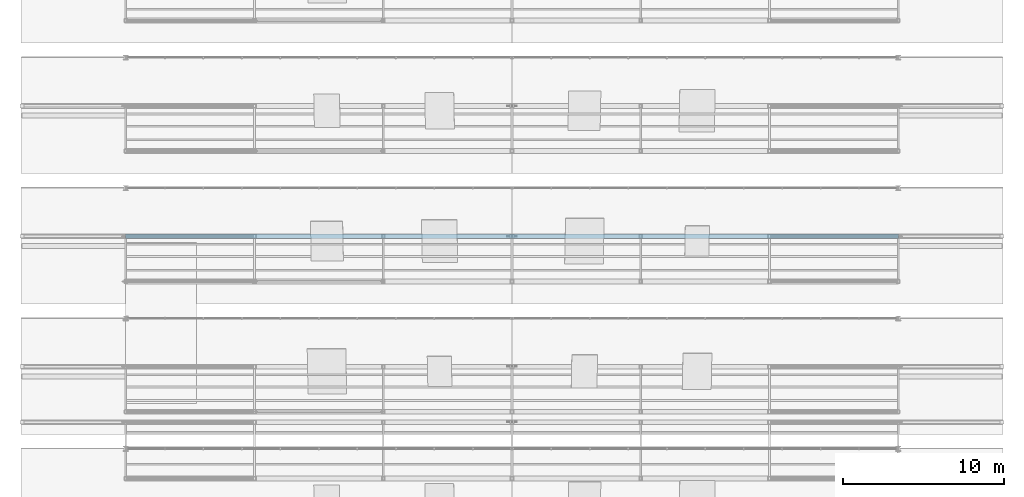
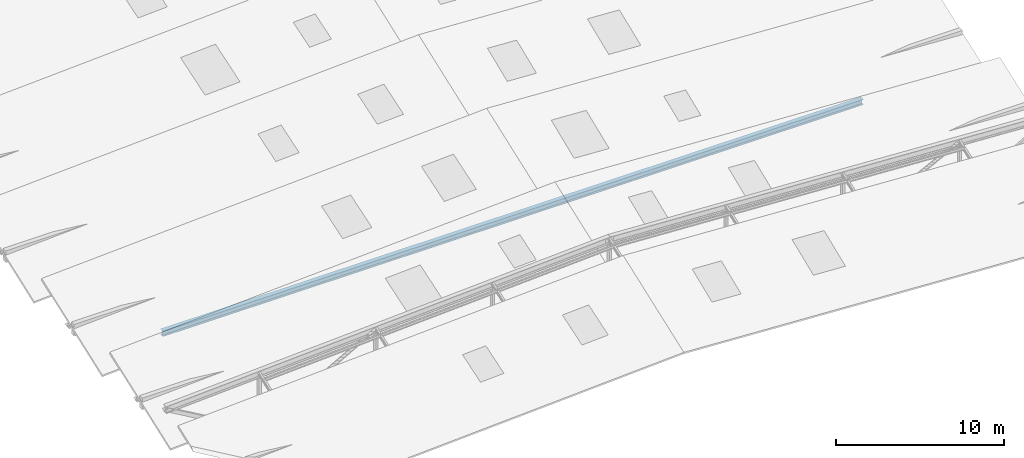
# One storey, part 36 of 141: 1 member.
"""IFC4 building model written with IfcOpenShell, lengths in metres."""

from ifc_helpers import new_model, si_unit, direction, frame, origin, origin_2d, place, context, subcontext, project, spatial, i_section, extrude, material, material_profile, profile_set, type_object, element, save


model = new_model("IFC4")

# Units and contexts
model_context = context("Model", 3, precision=1e-05, world=origin(), true_north=direction((0.0, 1.0)))
body_context = subcontext(model_context, "Body", "Model", "MODEL_VIEW")
ifc_project = project(units=[si_unit("LENGTHUNIT", "METRE"), si_unit("AREAUNIT", "SQUARE_METRE"), si_unit("VOLUMEUNIT", "CUBIC_METRE"), si_unit("PLANEANGLEUNIT", "RADIAN"), si_unit("MASSUNIT", "GRAM", prefix="KILO")], contexts=[model_context])

# Site, building, storey
site_placement = place(None, origin())
site = spatial("IfcSite", under=ifc_project, at=site_placement, CompositionType="ELEMENT")
building_placement = place(site_placement, origin())
building = spatial("IfcBuilding", under=site, at=building_placement, Name="Sundkrona Museum", CompositionType="ELEMENT")
storey_placement = place(building_placement, frame((0.0, 0.0, 34.0)))
storey = spatial("IfcBuildingStorey", under=building, at=storey_placement, Name="RF", CompositionType="ELEMENT", Elevation=34.0)

# Member
ifc_material = material(Name="Steel S355J2", Category="steel")
ifc_material_profile = material_profile(ifc_material, i_section(OverallWidth=0.300048828125, OverallDepth=0.39990234375, WebThickness=0.013427734375, FlangeThickness=0.02392578125, FilletRadius=0.027099609375, at=origin_2d()), Name="HEB 400")
ifc_profile_set = profile_set([ifc_material_profile], Name="Steel S355J2")
member_type = type_object("IfcMemberType", Name="TC-HEB400", PredefinedType="CHORD", material=ifc_profile_set)
member_placement = place(storey_placement, frame((120.0, 15.39990234375, -0.25), z_axis=(1.0, 0.0, 0.0), x_axis=(0.0, 1.0, 0.0)))
element("IfcMember", 1, at=member_placement, inside=storey, type_object=member_type, Name="RFS-1 Sawtooth Truss 3 Continuous Bottom Tie Chord", PredefinedType="CHORD", context=body_context, shape_type="SweptSolid", body=[
    extrude(i_section(OverallWidth=0.300048828125, OverallDepth=0.39990234375, WebThickness=0.013427734375, FlangeThickness=0.02392578125, FilletRadius=0.027099609375, at=origin_2d()), origin(), (0.0, 0.0, 1.0), 48.0),
])

save(model, "model.ifc")
